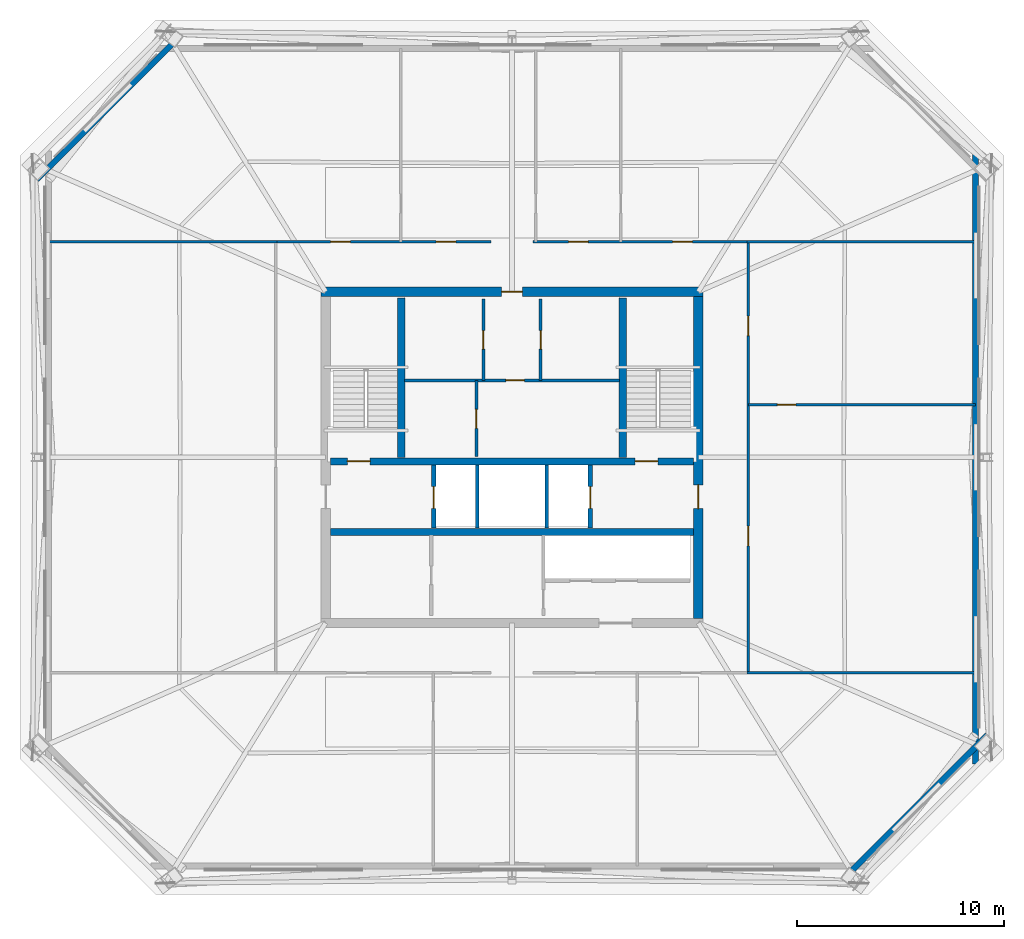
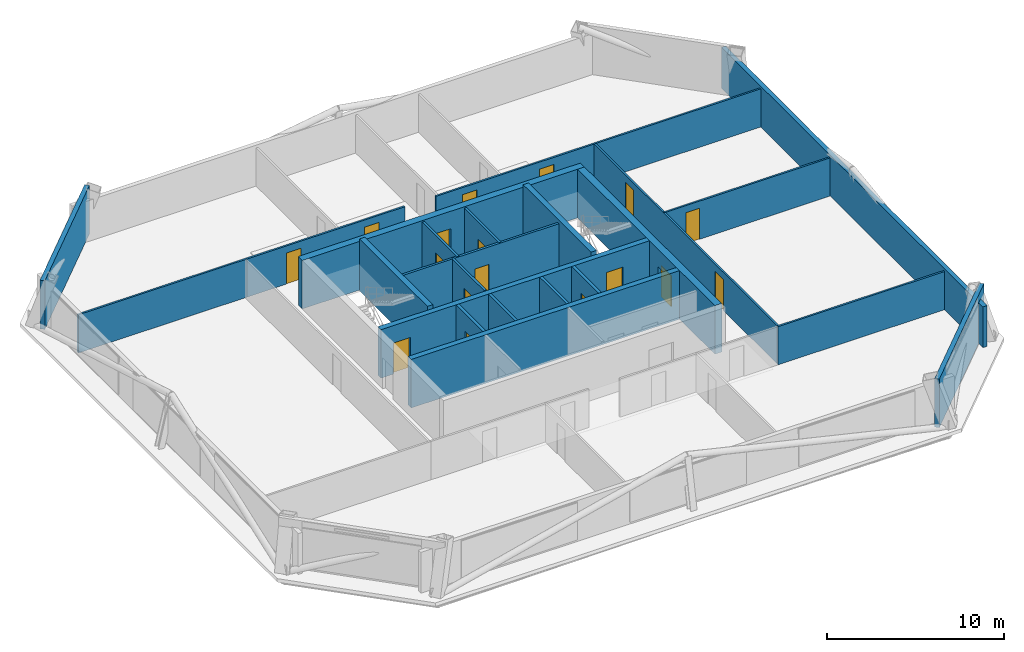
# One storey, part 3 of 6: 24 walls, 17 doors, 17 openings.
"""IFC4 building model written with IfcOpenShell, lengths in metres."""

from ifc_helpers import new_model, si_unit, direction, frame, frame_2d, origin, place, context, subcontext, project, spatial, rectangle, extrude, material, layer, layer_set, type_object, element, fill, save


model = new_model("IFC4")

# Units and contexts
model_context = context("Model", 3, precision=1e-05, world=origin(), true_north=direction((0.0, 1.0)))
body_context = subcontext(model_context, "Body", "Model", "MODEL_VIEW")
ifc_project = project(units=[si_unit("LENGTHUNIT", "METRE"), si_unit("AREAUNIT", "SQUARE_METRE"), si_unit("VOLUMEUNIT", "CUBIC_METRE"), si_unit("PLANEANGLEUNIT", "RADIAN"), si_unit("MASSUNIT", "GRAM", prefix="KILO")], contexts=[model_context])

# Site, building, storey
site_placement = place(None, origin())
site = spatial("IfcSite", under=ifc_project, at=site_placement, CompositionType="ELEMENT")
building_placement = place(site_placement, origin())
building = spatial("IfcBuilding", under=site, at=building_placement, Name="Caelvoria Tower", CompositionType="ELEMENT")
storey_placement = place(building_placement, frame((0.0, 0.0, 184.199951171875)))
storey = spatial("IfcBuildingStorey", under=building, at=storey_placement, Name="L48", CompositionType="ELEMENT", Elevation=184.199951171875)

# Wall, openings, doors
ifc_material_1 = material(Name="Concrete C50/60", Category="concrete")
ifc_layer_1 = layer(ifc_material_1, 0.35009765625, Name="Concrete C50/60")
ifc_layer_set_1 = layer_set([ifc_layer_1], Name="Core Internal Shear Wall 350 - Concrete C50/60")
wall_type_1 = type_object("IfcWallType", Name="Core Internal Shear Wall 350", PredefinedType="SHEAR", material=ifc_layer_set_1)
wall_1_placement = place(storey_placement, frame((37.22509765625, 31.800048828125, 0.0), z_axis=(0.0, 0.0, 1.0), x_axis=(1.0, 0.0, 0.0)))
wall_1 = element("IfcWall", 1, at=wall_1_placement, inside=storey, type_object=wall_type_1, Name="Core Shear Wall L48 M1", PredefinedType="SHEAR", context=body_context, shape_type="SweptSolid", body=[
    extrude(rectangle(XDim=17.5498046875, YDim=0.35009765625, at=frame_2d((8.77490234375, 0.0))), origin(), (0.0, 0.0, 1.0), 3.360107421875),
])
opening_1_placement = place(wall_1_placement, frame((0.824951171875, 0.0, 0.0)))
opening_1 = element("IfcOpeningElement", 2, at=opening_1_placement, cuts=wall_1, Name="Opening ID-01", PredefinedType="OPENING", context=body_context, shape_type="SweptSolid", body=[
    extrude(rectangle(XDim=1.10009765625, YDim=2.14990234375, at=frame_2d((0.550048828125, 1.074951171875))), frame((0.0, 0.18505859375, 0.0), z_axis=(0.0, -1.0, 0.0), x_axis=(1.0, 0.0, 0.0)), (0.0, 0.0, 1.0), 0.3701171875),
])
opening_2_placement = place(wall_1_placement, frame((14.72509765625, 0.0, 0.0)))
opening_2 = element("IfcOpeningElement", 3, at=opening_2_placement, cuts=wall_1, Name="Opening ID-01", PredefinedType="OPENING", context=body_context, shape_type="SweptSolid", body=[
    extrude(rectangle(XDim=1.10009765625, YDim=2.14990234375, at=frame_2d((0.550048828125, 1.074951171875))), frame((0.0, 0.18505859375, 0.0), z_axis=(0.0, -1.0, 0.0), x_axis=(1.0, 0.0, 0.0)), (0.0, 0.0, 1.0), 0.3701171875),
])
ifc_material_2 = material(Name="Painted Hollow Steel Fire Door", Category="steel")
door_type_1 = type_object("IfcDoorType", Name="Fire Door FD90S 1100x2150", OperationType="NOTDEFINED", PredefinedType="DOOR", material=ifc_material_2)
door_1_placement = place(opening_1_placement, origin())
door_1 = element("IfcDoor", 4, at=door_1_placement, inside=storey, type_object=door_type_1, Name="Core Door DR-L48-ST1", OperationType="SINGLE_SWING_LEFT", OverallHeight=2.14990234375, OverallWidth=1.10009765625, PredefinedType="DOOR", context=body_context, shape_type="SweptSolid", body=[
    extrude(rectangle(XDim=1.10009765625, YDim=2.14990234375, at=frame_2d((0.550048828125, 1.074951171875))), frame((0.0, 0.02490234375, 0.0), z_axis=(0.0, -1.0, 0.0), x_axis=(1.0, 0.0, 0.0)), (0.0, 0.0, 1.0), 0.050048828125),
])
fill(opening_1, door_1)
door_2_placement = place(opening_2_placement, origin())
door_2 = element("IfcDoor", 5, at=door_2_placement, inside=storey, type_object=door_type_1, Name="Core Door DR-L48-ST2", OperationType="SINGLE_SWING_RIGHT", OverallHeight=2.14990234375, OverallWidth=1.10009765625, PredefinedType="DOOR", context=body_context, shape_type="SweptSolid", body=[
    extrude(rectangle(XDim=1.10009765625, YDim=2.14990234375, at=frame_2d((0.550048828125, 1.074951171875))), frame((0.0, 0.02490234375, 0.0), z_axis=(0.0, -1.0, 0.0), x_axis=(1.0, 0.0, 0.0)), (0.0, 0.0, 1.0), 0.050048828125),
])
fill(opening_2, door_2)

# Walls
wall_2_placement = place(storey_placement, frame((37.22509765625, 28.39990234375, 0.0), z_axis=(0.0, 0.0, 1.0), x_axis=(1.0, 0.0, 0.0)))
element("IfcWall", 6, at=wall_2_placement, inside=storey, type_object=wall_type_1, Name="Core Shear Wall L48 M2", PredefinedType="SHEAR", context=body_context, shape_type="SweptSolid", body=[
    extrude(rectangle(XDim=17.5498046875, YDim=0.35009765625, at=frame_2d((8.77490234375, 0.0))), origin(), (0.0, 0.0, 1.0), 3.360107421875),
])
for number, where, z_axis, x_axis, name in (
    (7, (40.64990234375, 32.0, 0.0), (0.0, 0.0, 1.0), (0.0, 1.0, 0.0), "Interior Partition IW-L48-ST1E"),
    (8, (51.35009765625, 32.0, 0.0), (0.0, 0.0, 1.0), (0.0, 1.0, 0.0), "Interior Partition IW-L48-ST2W"),
):
    element("IfcWall", number, at=place(storey_placement, frame(where, z_axis=z_axis, x_axis=x_axis)), inside=storey, type_object=wall_type_1, Name=name, PredefinedType="SHEAR", context=body_context, shape_type="SweptSolid", body=[
        extrude(rectangle(XDim=7.699951171875, YDim=0.35009765625, at=frame_2d((3.85009765625, 0.0))), origin(), (0.0, 0.0, 1.0), 3.60009765625),
    ])

# Wall, opening, door
ifc_material_3 = material(Name="Double Gypsum Board on Steel Stud", Category="steel")
ifc_layer_2 = layer(ifc_material_3, 0.14990234375, Name="Double Gypsum Board on Steel Stud")
ifc_layer_set_2 = layer_set([ifc_layer_2], Name="Core Service Acoustic Partition Wall 150 - Double Gypsum Board on Steel Stud")
wall_type_2 = type_object("IfcWallType", Name="Core Service Acoustic Partition Wall 150", PredefinedType="PARTITIONING", material=ifc_layer_set_2)
wall_3_placement = place(storey_placement, frame((44.6201171875, 35.719970703125, 0.0), z_axis=(0.0, 0.0, 1.0), x_axis=(0.0, 1.0, 0.0)))
wall_3 = element("IfcWall", 9, at=wall_3_placement, inside=storey, type_object=wall_type_2, Name="Interior Partition IW-L48-C0L", PredefinedType="PARTITIONING", context=body_context, shape_type="SweptSolid", body=[
    extrude(rectangle(XDim=3.929931640625, YDim=0.14990234375, at=frame_2d((1.96484375, 0.0))), origin(), (0.0, 0.0, 1.0), 3.360107421875),
])
opening_3_placement = place(wall_3_placement, frame((1.5, 0.0, 0.0)))
opening_3 = element("IfcOpeningElement", 10, at=opening_3_placement, cuts=wall_3, Name="Opening ID-06", PredefinedType="OPENING", context=body_context, shape_type="SweptSolid", body=[
    extrude(rectangle(XDim=0.89990234375, YDim=2.14990234375, at=frame_2d((0.449951171875, 1.074951171875))), frame((0.0, 0.0849609375, 0.0), z_axis=(0.0, -1.0, 0.0), x_axis=(1.0, 0.0, 0.0)), (0.0, 0.0, 1.0), 0.169921875),
])
ifc_material_4 = material(Name="Engineered Andean Oak Veneer Door", Category="wood")
door_type_2 = type_object("IfcDoorType", Name="Interior Timber Door 900x2150", OperationType="NOTDEFINED", PredefinedType="DOOR", material=ifc_material_4)
door_3_placement = place(opening_3_placement, origin())
door_3 = element("IfcDoor", 11, at=door_3_placement, inside=storey, type_object=door_type_2, Name="Interior Door DR-L48-C01", OperationType="SINGLE_SWING_LEFT", OverallHeight=2.14990234375, OverallWidth=0.89990234375, PredefinedType="DOOR", context=body_context, shape_type="SweptSolid", body=[
    extrude(rectangle(XDim=0.89990234375, YDim=2.14990234375, at=frame_2d((0.449951171875, 1.074951171875))), frame((0.0, 0.02490234375, 0.0), z_axis=(0.0, -1.0, 0.0), x_axis=(1.0, 0.0, 0.0)), (0.0, 0.0, 1.0), 0.050048828125),
])
fill(opening_3, door_3)

wall_4_placement = place(storey_placement, frame((47.3798828125, 35.719970703125, 0.0), z_axis=(0.0, 0.0, 1.0), x_axis=(0.0, 1.0, 0.0)))
wall_4 = element("IfcWall", 12, at=wall_4_placement, inside=storey, type_object=wall_type_2, Name="Interior Partition IW-L48-C0R", PredefinedType="PARTITIONING", context=body_context, shape_type="SweptSolid", body=[
    extrude(rectangle(XDim=3.929931640625, YDim=0.14990234375, at=frame_2d((1.96484375, 0.0))), origin(), (0.0, 0.0, 1.0), 3.360107421875),
])
opening_4_placement = place(wall_4_placement, frame((1.5, 0.0, 0.0)))
opening_4 = element("IfcOpeningElement", 13, at=opening_4_placement, cuts=wall_4, Name="Opening ID-06", PredefinedType="OPENING", context=body_context, shape_type="SweptSolid", body=[
    extrude(rectangle(XDim=0.89990234375, YDim=2.14990234375, at=frame_2d((0.449951171875, 1.074951171875))), frame((0.0, 0.0849609375, 0.0), z_axis=(0.0, -1.0, 0.0), x_axis=(1.0, 0.0, 0.0)), (0.0, 0.0, 1.0), 0.169921875),
])
door_4_placement = place(opening_4_placement, origin())
door_4 = element("IfcDoor", 14, at=door_4_placement, inside=storey, type_object=door_type_2, Name="Interior Door DR-L48-C02", OperationType="SINGLE_SWING_RIGHT", OverallHeight=2.14990234375, OverallWidth=0.89990234375, PredefinedType="DOOR", context=body_context, shape_type="SweptSolid", body=[
    extrude(rectangle(XDim=0.89990234375, YDim=2.14990234375, at=frame_2d((0.449951171875, 1.074951171875))), frame((0.0, 0.02490234375, 0.0), z_axis=(0.0, -1.0, 0.0), x_axis=(1.0, 0.0, 0.0)), (0.0, 0.0, 1.0), 0.050048828125),
])
fill(opening_4, door_4)

wall_5_placement = place(storey_placement, frame((44.280029296875, 32.050048828125, 0.0), z_axis=(0.0, 0.0, 1.0), x_axis=(0.0, 1.0, 0.0)))
wall_5 = element("IfcWall", 15, at=wall_5_placement, inside=storey, type_object=wall_type_2, Name="Interior Partition IW-L48-C0M", PredefinedType="PARTITIONING", context=body_context, shape_type="SweptSolid", body=[
    extrude(rectangle(XDim=3.669921875, YDim=0.14990234375, at=frame_2d((1.8349609375, 0.0))), origin(), (0.0, 0.0, 1.0), 3.360107421875),
])
opening_5_placement = place(wall_5_placement, frame((1.35009765625, 0.0, 0.0)))
opening_5 = element("IfcOpeningElement", 16, at=opening_5_placement, cuts=wall_5, Name="Opening ID-07", PredefinedType="OPENING", context=body_context, shape_type="SweptSolid", body=[
    extrude(rectangle(XDim=0.919921875, YDim=2.14990234375, at=frame_2d((0.4599609375, 1.074951171875))), frame((0.0, 0.0849609375, 0.0), z_axis=(0.0, -1.0, 0.0), x_axis=(1.0, 0.0, 0.0)), (0.0, 0.0, 1.0), 0.169921875),
])
ifc_material_5 = material(Name="Engineered Andean Oak Accessible Door", Category="wood")
door_type_3 = type_object("IfcDoorType", Name="Accessible WC Door 950x2150", OperationType="NOTDEFINED", PredefinedType="DOOR", material=ifc_material_5)
door_5_placement = place(opening_5_placement, origin())
door_5 = element("IfcDoor", 17, at=door_5_placement, inside=storey, type_object=door_type_3, Name="Interior Door DR-L48-C05", OperationType="SINGLE_SWING_LEFT", OverallHeight=2.14990234375, OverallWidth=0.919921875, PredefinedType="DOOR", context=body_context, shape_type="SweptSolid", body=[
    extrude(rectangle(XDim=0.919921875, YDim=2.14990234375, at=frame_2d((0.4599609375, 1.074951171875))), frame((0.0, 0.02490234375, 0.0), z_axis=(0.0, -1.0, 0.0), x_axis=(1.0, 0.0, 0.0)), (0.0, 0.0, 1.0), 0.050048828125),
])
fill(opening_5, door_5)

wall_6_placement = place(storey_placement, frame((40.800048828125, 35.719970703125, 0.0), z_axis=(0.0, 0.0, 1.0), x_axis=(1.0, 0.0, 0.0)))
wall_6 = element("IfcWall", 18, at=wall_6_placement, inside=storey, type_object=wall_type_2, Name="Interior Partition IW-L48-C0H", PredefinedType="PARTITIONING", context=body_context, shape_type="SweptSolid", body=[
    extrude(rectangle(XDim=10.39990234375, YDim=0.14990234375, at=frame_2d((5.199951171875, 0.0))), origin(), (0.0, 0.0, 1.0), 3.360107421875),
])
opening_6_placement = place(wall_6_placement, frame((4.89990234375, 0.0, 0.0)))
opening_6 = element("IfcOpeningElement", 19, at=opening_6_placement, cuts=wall_6, Name="Opening ID-04", PredefinedType="OPENING", context=body_context, shape_type="SweptSolid", body=[
    extrude(rectangle(XDim=0.89990234375, YDim=2.14990234375, at=frame_2d((0.449951171875, 1.074951171875))), frame((0.0, 0.0849609375, 0.0), z_axis=(0.0, -1.0, 0.0), x_axis=(1.0, 0.0, 0.0)), (0.0, 0.0, 1.0), 0.169921875),
])
ifc_material_6 = material(Name="Acoustic Timber Fire Door", Category="wood")
door_type_4 = type_object("IfcDoorType", Name="Fire Door FD30S 900x2150", OperationType="NOTDEFINED", PredefinedType="DOOR", material=ifc_material_6)
door_6_placement = place(opening_6_placement, origin())
door_6 = element("IfcDoor", 20, at=door_6_placement, inside=storey, type_object=door_type_4, Name="Interior Door DR-L48-C04", OperationType="SINGLE_SWING_RIGHT", OverallHeight=2.14990234375, OverallWidth=0.89990234375, PredefinedType="DOOR", context=body_context, shape_type="SweptSolid", body=[
    extrude(rectangle(XDim=0.89990234375, YDim=2.14990234375, at=frame_2d((0.449951171875, 1.074951171875))), frame((0.0, 0.02490234375, 0.0), z_axis=(0.0, -1.0, 0.0), x_axis=(1.0, 0.0, 0.0)), (0.0, 0.0, 1.0), 0.050048828125),
])
fill(opening_6, door_6)

# Walls
ifc_material_7 = material(Name="Precast Concrete C40/50 with Bronze Cladding", Category="concrete")
ifc_layer_3 = layer(ifc_material_7, 0.280029296875, Name="Precast Concrete C40/50 with Bronze Cladding")
ifc_layer_set_3 = layer_set([ifc_layer_3], Name="Exterior Precast Concrete C40/50 Bronze-Clad Facade Wall 280 - Precast Concrete C40/50 with Bronze Cladding")
wall_type_3 = type_object("IfcWallType", Name="Exterior Precast Concrete C40/50 Bronze-Clad Facade Wall 280", PredefinedType="STANDARD", material=ifc_layer_set_3)
wall_7_placement = place(storey_placement, frame((62.054443359375, 11.68603515625, 0.0), z_axis=(0.0, 0.0, 1.0), x_axis=(0.707106781187, 0.707106781187, 0.0)))
element("IfcWall", 21, at=wall_7_placement, inside=storey, type_object=wall_type_3, Name="Exterior Facade Wall L48-E1", PredefinedType="STANDARD", context=body_context, shape_type="SweptSolid", body=[
    extrude(rectangle(XDim=9.75732421875, YDim=0.280029296875, at=frame_2d((4.878662109375, 0.0))), origin(), (0.0, 0.0, 1.0), 3.360107421875),
])
wall_8_placement = place(storey_placement, frame((68.3798828125, 17.199951171875, 0.0), z_axis=(0.0, 0.0, 1.0), x_axis=(0.0, 1.0, 0.0)))
element("IfcWall", 22, at=wall_8_placement, inside=storey, type_object=wall_type_3, Name="Exterior Facade Wall L48-E2", PredefinedType="STANDARD", context=body_context, shape_type="SweptSolid", body=[
    extrude(rectangle(XDim=29.60009765625, YDim=0.280029296875, at=frame_2d((14.800048828125, 0.0))), origin(), (0.0, 0.0, 1.0), 2.817138671875),
])
wall_9_placement = place(storey_placement, frame((29.945556640625, 52.31396484375, 0.0), z_axis=(0.0, 0.0, 1.0), x_axis=(-0.707106781187, -0.707106781187, 0.0)))
element("IfcWall", 23, at=wall_9_placement, inside=storey, type_object=wall_type_3, Name="Exterior Facade Wall L48-E5", PredefinedType="STANDARD", context=body_context, shape_type="SweptSolid", body=[
    extrude(rectangle(XDim=9.75732421875, YDim=0.280029296875, at=frame_2d((4.878662109375, 0.0))), origin(), (0.0, 0.0, 1.0), 3.360107421875),
])
ifc_material_8 = material(Name="Concrete Block and Fireboard Assembly", Category="concrete")
ifc_layer_4 = layer(ifc_material_8, 0.179931640625, Name="Concrete Block and Fireboard Assembly")
ifc_layer_set_4 = layer_set([ifc_layer_4], Name="Fire-Rated Hoistway Partition Wall 180 - Concrete Block and Fireboard Assembly")
wall_type_4 = type_object("IfcWallType", Name="Fire-Rated Hoistway Partition Wall 180", PredefinedType="PARTITIONING", material=ifc_layer_set_4)
for number, where, z_axis, x_axis, name in (
    (24, (44.320068359375, 28.580078125, 0.0), (0.0, 0.0, 1.0), (0.0, 1.0, 0.0), "Interior Partition IW-L48-SV1W"),
    (25, (47.679931640625, 28.580078125, 0.0), (0.0, 0.0, 1.0), (0.0, 1.0, 0.0), "Interior Partition IW-L48-SV1E"),
):
    element("IfcWall", number, at=place(storey_placement, frame(where, z_axis=z_axis, x_axis=x_axis)), inside=storey, type_object=wall_type_4, Name=name, PredefinedType="PARTITIONING", context=body_context, shape_type="SweptSolid", body=[
        extrude(rectangle(XDim=3.0400390625, YDim=0.179931640625, at=frame_2d((1.52001953125, 0.0))), origin(), (0.0, 0.0, 1.0), 3.360107421875),
    ])

# Wall, opening, door
ifc_layer_5 = layer(ifc_material_8, 0.199951171875, Name="Concrete Block and Fireboard Assembly")
ifc_layer_set_5 = layer_set([ifc_layer_5], Name="Fire-Rated Shaft and Core Partition Wall 200 - Concrete Block and Fireboard Assembly")
wall_type_5 = type_object("IfcWallType", Name="Fire-Rated Shaft and Core Partition Wall 200", PredefinedType="PARTITIONING", material=ifc_layer_set_5)
wall_10_placement = place(storey_placement, frame((42.219970703125, 28.580078125, 0.0), z_axis=(0.0, 0.0, 1.0), x_axis=(0.0, 1.0, 0.0)))
wall_10 = element("IfcWall", 26, at=wall_10_placement, inside=storey, type_object=wall_type_5, Name="Interior Partition IW-L48-LF1W", PredefinedType="PARTITIONING", context=body_context, shape_type="SweptSolid", body=[
    extrude(rectangle(XDim=3.0400390625, YDim=0.199951171875, at=frame_2d((1.52001953125, 0.0))), origin(), (0.0, 0.0, 1.0), 3.360107421875),
])
opening_7_placement = place(wall_10_placement, frame((0.949951171875, 0.0, 0.0)))
opening_7 = element("IfcOpeningElement", 27, at=opening_7_placement, cuts=wall_10, Name="Opening LD-01", PredefinedType="OPENING", context=body_context, shape_type="SweptSolid", body=[
    extrude(rectangle(XDim=1.050048828125, YDim=2.14990234375, at=frame_2d((0.52490234375, 1.074951171875))), frame((0.0, 0.10986328125, 0.0), z_axis=(0.0, -1.0, 0.0), x_axis=(1.0, 0.0, 0.0)), (0.0, 0.0, 1.0), 0.219970703125),
])
ifc_material_9 = material(Name="Brushed Bronze Stainless Sliding Landing Door", Category="aluminium")
door_type_5 = type_object("IfcDoorType", Name="Lift Landing Sliding Door 1100x2150", OperationType="NOTDEFINED", PredefinedType="DOOR", material=ifc_material_9)
door_7_placement = place(opening_7_placement, origin())
door_7 = element("IfcDoor", 28, at=door_7_placement, inside=storey, type_object=door_type_5, Name="Interior Door LD-L48-LF1", OperationType="SLIDING_TO_LEFT", OverallHeight=2.14990234375, OverallWidth=1.050048828125, PredefinedType="DOOR", context=body_context, shape_type="SweptSolid", body=[
    extrude(rectangle(XDim=1.050048828125, YDim=2.14990234375, at=frame_2d((0.52490234375, 1.074951171875))), frame((0.0, 0.02490234375, 0.0), z_axis=(0.0, -1.0, 0.0), x_axis=(1.0, 0.0, 0.0)), (0.0, 0.0, 1.0), 0.050048828125),
])
fill(opening_7, door_7)

wall_11_placement = place(storey_placement, frame((49.780029296875, 28.580078125, 0.0), z_axis=(0.0, 0.0, 1.0), x_axis=(0.0, 1.0, 0.0)))
wall_11 = element("IfcWall", 29, at=wall_11_placement, inside=storey, type_object=wall_type_5, Name="Interior Partition IW-L48-LF2E", PredefinedType="PARTITIONING", context=body_context, shape_type="SweptSolid", body=[
    extrude(rectangle(XDim=3.0400390625, YDim=0.199951171875, at=frame_2d((1.52001953125, 0.0))), origin(), (0.0, 0.0, 1.0), 3.360107421875),
])
opening_8_placement = place(wall_11_placement, frame((0.949951171875, 0.0, 0.0)))
opening_8 = element("IfcOpeningElement", 30, at=opening_8_placement, cuts=wall_11, Name="Opening LD-01", PredefinedType="OPENING", context=body_context, shape_type="SweptSolid", body=[
    extrude(rectangle(XDim=1.050048828125, YDim=2.14990234375, at=frame_2d((0.52490234375, 1.074951171875))), frame((0.0, 0.10986328125, 0.0), z_axis=(0.0, -1.0, 0.0), x_axis=(1.0, 0.0, 0.0)), (0.0, 0.0, 1.0), 0.219970703125),
])
door_8_placement = place(opening_8_placement, origin())
door_8 = element("IfcDoor", 31, at=door_8_placement, inside=storey, type_object=door_type_5, Name="Interior Door LD-L48-LF2", OperationType="SLIDING_TO_RIGHT", OverallHeight=2.14990234375, OverallWidth=1.050048828125, PredefinedType="DOOR", context=body_context, shape_type="SweptSolid", body=[
    extrude(rectangle(XDim=1.050048828125, YDim=2.14990234375, at=frame_2d((0.52490234375, 1.074951171875))), frame((0.0, 0.02490234375, 0.0), z_axis=(0.0, -1.0, 0.0), x_axis=(1.0, 0.0, 0.0)), (0.0, 0.0, 1.0), 0.050048828125),
])
fill(opening_8, door_8)

# Wall, openings, doors
ifc_material_10 = material(Name="Acoustic Gypsum Board on Light-Gauge Stud", Category="gypsum")
ifc_layer_6 = layer(ifc_material_10, 0.1201171875, Name="Acoustic Gypsum Board on Light-Gauge Stud")
ifc_layer_set_6 = layer_set([ifc_layer_6], Name="Tenant Suite Acoustic Partition Wall 120 - Acoustic Gypsum Board on Light-Gauge Stud")
wall_type_6 = type_object("IfcWallType", Name="Tenant Suite Acoustic Partition Wall 120", PredefinedType="PARTITIONING", material=ifc_layer_set_6)
wall_12_placement = place(storey_placement, frame((34.64990234375, 42.409912109375, 0.0), z_axis=(0.0, 0.0, 1.0), x_axis=(1.0, 0.0, 0.0)))
wall_12 = element("IfcWall", 32, at=wall_12_placement, inside=storey, type_object=wall_type_6, Name="Interior Partition IW-L48-NCW-0", PredefinedType="PARTITIONING", context=body_context, shape_type="SweptSolid", body=[
    extrude(rectangle(XDim=10.330078125, YDim=0.1201171875, at=frame_2d((5.1650390625, 0.0))), origin(), (0.0, 0.0, 1.0), 2.64013671875),
])
opening_9_placement = place(wall_12_placement, frame((2.589599609375, 0.0, 0.0)))
opening_9 = element("IfcOpeningElement", 33, at=opening_9_placement, cuts=wall_12, Name="Opening ID-05", PredefinedType="OPENING", context=body_context, shape_type="SweptSolid", body=[
    extrude(rectangle(XDim=0.949951171875, YDim=2.14990234375, at=frame_2d((0.47509765625, 1.074951171875))), frame((0.0, 0.070068359375, 0.0), z_axis=(0.0, -1.0, 0.0), x_axis=(1.0, 0.0, 0.0)), (0.0, 0.0, 1.0), 0.14013671875),
])
opening_10_placement = place(wall_12_placement, frame((7.6845703125, 0.0, 0.0)))
opening_10 = element("IfcOpeningElement", 34, at=opening_10_placement, cuts=wall_12, Name="Opening ID-05", PredefinedType="OPENING", context=body_context, shape_type="SweptSolid", body=[
    extrude(rectangle(XDim=0.949951171875, YDim=2.14990234375, at=frame_2d((0.47509765625, 1.074951171875))), frame((0.0, 0.070068359375, 0.0), z_axis=(0.0, -1.0, 0.0), x_axis=(1.0, 0.0, 0.0)), (0.0, 0.0, 1.0), 0.14013671875),
])
door_type_6 = type_object("IfcDoorType", Name="Interior Timber Door 950x2150", OperationType="NOTDEFINED", PredefinedType="DOOR", material=ifc_material_4)
door_9_placement = place(opening_9_placement, origin())
door_9 = element("IfcDoor", 35, at=door_9_placement, inside=storey, type_object=door_type_6, Name="Interior Door DR-L48-NC-00-0", OperationType="SINGLE_SWING_LEFT", OverallHeight=2.14990234375, OverallWidth=0.949951171875, PredefinedType="DOOR", context=body_context, shape_type="SweptSolid", body=[
    extrude(rectangle(XDim=0.949951171875, YDim=2.14990234375, at=frame_2d((0.47509765625, 1.074951171875))), frame((0.0, 0.02490234375, 0.0), z_axis=(0.0, -1.0, 0.0), x_axis=(1.0, 0.0, 0.0)), (0.0, 0.0, 1.0), 0.050048828125),
])
fill(opening_9, door_9)
door_10_placement = place(opening_10_placement, origin())
door_10 = element("IfcDoor", 36, at=door_10_placement, inside=storey, type_object=door_type_6, Name="Interior Door DR-L48-NC-01-0", OperationType="SINGLE_SWING_RIGHT", OverallHeight=2.14990234375, OverallWidth=0.949951171875, PredefinedType="DOOR", context=body_context, shape_type="SweptSolid", body=[
    extrude(rectangle(XDim=0.949951171875, YDim=2.14990234375, at=frame_2d((0.47509765625, 1.074951171875))), frame((0.0, 0.02490234375, 0.0), z_axis=(0.0, -1.0, 0.0), x_axis=(1.0, 0.0, 0.0)), (0.0, 0.0, 1.0), 0.050048828125),
])
fill(opening_10, door_10)

wall_13_placement = place(storey_placement, frame((47.02001953125, 42.409912109375, 0.0), z_axis=(0.0, 0.0, 1.0), x_axis=(1.0, 0.0, 0.0)))
wall_13 = element("IfcWall", 37, at=wall_13_placement, inside=storey, type_object=wall_type_6, Name="Interior Partition IW-L48-NCW-1", PredefinedType="PARTITIONING", context=body_context, shape_type="SweptSolid", body=[
    extrude(rectangle(XDim=10.330078125, YDim=0.1201171875, at=frame_2d((5.1650390625, 0.0))), origin(), (0.0, 0.0, 1.0), 2.64013671875),
])
opening_11_placement = place(wall_13_placement, frame((1.709228515625, 0.0, 0.0)))
opening_11 = element("IfcOpeningElement", 38, at=opening_11_placement, cuts=wall_13, Name="Opening ID-05", PredefinedType="OPENING", context=body_context, shape_type="SweptSolid", body=[
    extrude(rectangle(XDim=0.949951171875, YDim=2.14990234375, at=frame_2d((0.47509765625, 1.074951171875))), frame((0.0, 0.070068359375, 0.0), z_axis=(0.0, -1.0, 0.0), x_axis=(1.0, 0.0, 0.0)), (0.0, 0.0, 1.0), 0.14013671875),
])
opening_12_placement = place(wall_13_placement, frame((6.740478515625, 0.0, 0.0)))
opening_12 = element("IfcOpeningElement", 39, at=opening_12_placement, cuts=wall_13, Name="Opening ID-05", PredefinedType="OPENING", context=body_context, shape_type="SweptSolid", body=[
    extrude(rectangle(XDim=0.949951171875, YDim=2.14990234375, at=frame_2d((0.47509765625, 1.074951171875))), frame((0.0, 0.070068359375, 0.0), z_axis=(0.0, -1.0, 0.0), x_axis=(1.0, 0.0, 0.0)), (0.0, 0.0, 1.0), 0.14013671875),
])
door_11_placement = place(opening_11_placement, origin())
door_11 = element("IfcDoor", 40, at=door_11_placement, inside=storey, type_object=door_type_6, Name="Interior Door DR-L48-NC-02-0", OperationType="SINGLE_SWING_LEFT", OverallHeight=2.14990234375, OverallWidth=0.949951171875, PredefinedType="DOOR", context=body_context, shape_type="SweptSolid", body=[
    extrude(rectangle(XDim=0.949951171875, YDim=2.14990234375, at=frame_2d((0.47509765625, 1.074951171875))), frame((0.0, 0.02490234375, 0.0), z_axis=(0.0, -1.0, 0.0), x_axis=(1.0, 0.0, 0.0)), (0.0, 0.0, 1.0), 0.050048828125),
])
fill(opening_11, door_11)
door_12_placement = place(opening_12_placement, origin())
door_12 = element("IfcDoor", 41, at=door_12_placement, inside=storey, type_object=door_type_6, Name="Interior Door DR-L48-NC-03-0", OperationType="SINGLE_SWING_RIGHT", OverallHeight=2.14990234375, OverallWidth=0.949951171875, PredefinedType="DOOR", context=body_context, shape_type="SweptSolid", body=[
    extrude(rectangle(XDim=0.949951171875, YDim=2.14990234375, at=frame_2d((0.47509765625, 1.074951171875))), frame((0.0, 0.02490234375, 0.0), z_axis=(0.0, -1.0, 0.0), x_axis=(1.0, 0.0, 0.0)), (0.0, 0.0, 1.0), 0.050048828125),
])
fill(opening_12, door_12)

# Wall, opening, door
wall_14_placement = place(storey_placement, frame((57.409912109375, 34.5458984375, 0.0), z_axis=(0.0, 0.0, 1.0), x_axis=(1.0, 0.0, 0.0)))
wall_14 = element("IfcWall", 42, at=wall_14_placement, inside=storey, type_object=wall_type_6, Name="Interior Partition IW-L48-ED-00-0", PredefinedType="PARTITIONING", context=body_context, shape_type="SweptSolid", body=[
    extrude(rectangle(XDim=10.969970703125, YDim=0.1201171875, at=frame_2d((5.48486328125, 0.0))), origin(), (0.0, 0.0, 1.0), 2.64013671875),
])
opening_13_placement = place(wall_14_placement, frame((1.39990234375, 0.0, 0.0)))
opening_13 = element("IfcOpeningElement", 43, at=opening_13_placement, cuts=wall_14, Name="Opening ID-06", PredefinedType="OPENING", context=body_context, shape_type="SweptSolid", body=[
    extrude(rectangle(XDim=0.89990234375, YDim=2.14990234375, at=frame_2d((0.449951171875, 1.074951171875))), frame((0.0, 0.070068359375, 0.0), z_axis=(0.0, -1.0, 0.0), x_axis=(1.0, 0.0, 0.0)), (0.0, 0.0, 1.0), 0.14013671875),
])
door_13_placement = place(opening_13_placement, origin())
door_13 = element("IfcDoor", 44, at=door_13_placement, inside=storey, type_object=door_type_2, Name="Interior Door DR-L48-EM-00-0", OperationType="SINGLE_SWING_RIGHT", OverallHeight=2.14990234375, OverallWidth=0.89990234375, PredefinedType="DOOR", context=body_context, shape_type="SweptSolid", body=[
    extrude(rectangle(XDim=0.89990234375, YDim=2.14990234375, at=frame_2d((0.449951171875, 1.074951171875))), frame((0.0, 0.02490234375, 0.0), z_axis=(0.0, -1.0, 0.0), x_axis=(1.0, 0.0, 0.0)), (0.0, 0.0, 1.0), 0.050048828125),
])
fill(opening_13, door_13)

# Wall, openings, doors
wall_15_placement = place(storey_placement, frame((57.409912109375, 21.64990234375, 0.0), z_axis=(0.0, 0.0, 1.0), x_axis=(0.0, 1.0, 0.0)))
wall_15 = element("IfcWall", 45, at=wall_15_placement, inside=storey, type_object=wall_type_6, Name="Interior Partition IW-L48-ECW-0", PredefinedType="PARTITIONING", context=body_context, shape_type="SweptSolid", body=[
    extrude(rectangle(XDim=20.7001953125, YDim=0.1201171875, at=frame_2d((10.35009765625, 0.0))), origin(), (0.0, 0.0, 1.0), 2.64013671875),
])
opening_14_placement = place(wall_15_placement, frame((6.072998046875, 0.0, 0.0)))
opening_14 = element("IfcOpeningElement", 46, at=opening_14_placement, cuts=wall_15, Name="Opening ID-05", PredefinedType="OPENING", context=body_context, shape_type="SweptSolid", body=[
    extrude(rectangle(XDim=0.949951171875, YDim=2.14990234375, at=frame_2d((0.47509765625, 1.074951171875))), frame((0.0, 0.070068359375, 0.0), z_axis=(0.0, -1.0, 0.0), x_axis=(1.0, 0.0, 0.0)), (0.0, 0.0, 1.0), 0.14013671875),
])
opening_15_placement = place(wall_15_placement, frame((16.222900390625, 0.0, 0.0)))
opening_15 = element("IfcOpeningElement", 47, at=opening_15_placement, cuts=wall_15, Name="Opening ID-05", PredefinedType="OPENING", context=body_context, shape_type="SweptSolid", body=[
    extrude(rectangle(XDim=0.949951171875, YDim=2.14990234375, at=frame_2d((0.47509765625, 1.074951171875))), frame((0.0, 0.070068359375, 0.0), z_axis=(0.0, -1.0, 0.0), x_axis=(1.0, 0.0, 0.0)), (0.0, 0.0, 1.0), 0.14013671875),
])
door_14_placement = place(opening_14_placement, origin())
door_14 = element("IfcDoor", 48, at=door_14_placement, inside=storey, type_object=door_type_6, Name="Interior Door DR-L48-EC-00-0", OperationType="SINGLE_SWING_LEFT", OverallHeight=2.14990234375, OverallWidth=0.949951171875, PredefinedType="DOOR", context=body_context, shape_type="SweptSolid", body=[
    extrude(rectangle(XDim=0.949951171875, YDim=2.14990234375, at=frame_2d((0.47509765625, 1.074951171875))), frame((0.0, 0.02490234375, 0.0), z_axis=(0.0, -1.0, 0.0), x_axis=(1.0, 0.0, 0.0)), (0.0, 0.0, 1.0), 0.050048828125),
])
fill(opening_14, door_14)
door_15_placement = place(opening_15_placement, origin())
door_15 = element("IfcDoor", 49, at=door_15_placement, inside=storey, type_object=door_type_6, Name="Interior Door DR-L48-EC-01-0", OperationType="SINGLE_SWING_RIGHT", OverallHeight=2.14990234375, OverallWidth=0.949951171875, PredefinedType="DOOR", context=body_context, shape_type="SweptSolid", body=[
    extrude(rectangle(XDim=0.949951171875, YDim=2.14990234375, at=frame_2d((0.47509765625, 1.074951171875))), frame((0.0, 0.02490234375, 0.0), z_axis=(0.0, -1.0, 0.0), x_axis=(1.0, 0.0, 0.0)), (0.0, 0.0, 1.0), 0.050048828125),
])
fill(opening_15, door_15)

# Walls
for number, where, z_axis, x_axis, name in (
    (50, (57.35009765625, 21.590087890625, 0.0), (0.0, 0.0, 1.0), (1.0, 0.0, 0.0), "Interior Partition IW-L48-BSE-0"),
    (51, (34.64990234375, 42.409912109375, 0.0), (0.0, 0.0, 1.0), (-1.0, 0.0, 0.0), "Interior Partition IW-L48-BNW-0"),
    (52, (57.35009765625, 42.409912109375, 0.0), (0.0, 0.0, 1.0), (1.0, 0.0, 0.0), "Interior Partition IW-L48-BNE-0"),
):
    element("IfcWall", number, at=place(storey_placement, frame(where, z_axis=z_axis, x_axis=x_axis)), inside=storey, type_object=wall_type_6, Name=name, PredefinedType="PARTITIONING", context=body_context, shape_type="SweptSolid", body=[
        extrude(rectangle(XDim=11.02978515625, YDim=0.1201171875, at=frame_2d((5.514892578125, 0.0))), origin(), (0.0, 0.0, 1.0), 2.64013671875),
    ])

# Wall, opening, door
ifc_layer_7 = layer(ifc_material_1, 0.449951171875, Name="Concrete C50/60")
ifc_layer_set_7 = layer_set([ifc_layer_7], Name="Upper Core Shear Wall 450 - Concrete C50/60")
wall_type_7 = type_object("IfcWallType", Name="Upper Core Shear Wall 450", PredefinedType="SHEAR", material=ifc_layer_set_7)
wall_16_placement = place(storey_placement, frame((36.77490234375, 40.0, 0.0), z_axis=(0.0, 0.0, 1.0), x_axis=(1.0, 0.0, 0.0)))
wall_16 = element("IfcWall", 53, at=wall_16_placement, inside=storey, type_object=wall_type_7, Name="Core Shear Wall L48 N", PredefinedType="SHEAR", context=body_context, shape_type="SweptSolid", body=[
    extrude(rectangle(XDim=18.4501953125, YDim=0.449951171875, at=frame_2d((9.22509765625, 0.0))), origin(), (0.0, 0.0, 1.0), 3.360107421875),
])
opening_16_placement = place(wall_16_placement, frame((8.72509765625, 0.0, 0.0)))
opening_16 = element("IfcOpeningElement", 54, at=opening_16_placement, cuts=wall_16, Name="Opening ID-03", PredefinedType="OPENING", context=body_context, shape_type="SweptSolid", body=[
    extrude(rectangle(XDim=1.0, YDim=2.14990234375, at=frame_2d((0.5, 1.074951171875))), frame((0.0, 0.23486328125, 0.0), z_axis=(0.0, -1.0, 0.0), x_axis=(1.0, 0.0, 0.0)), (0.0, 0.0, 1.0), 0.469970703125),
])
door_type_7 = type_object("IfcDoorType", Name="Fire Door FD60S 1000x2150", OperationType="NOTDEFINED", PredefinedType="DOOR", material=ifc_material_2)
door_16_placement = place(opening_16_placement, origin())
door_16 = element("IfcDoor", 55, at=door_16_placement, inside=storey, type_object=door_type_7, Name="Core Door DR-L48-WC-MAIN", OperationType="SINGLE_SWING_RIGHT", OverallHeight=2.14990234375, OverallWidth=1.0, PredefinedType="DOOR", context=body_context, shape_type="SweptSolid", body=[
    extrude(rectangle(XDim=1.0, YDim=2.14990234375, at=frame_2d((0.5, 1.074951171875))), frame((0.0, 0.02490234375, 0.0), z_axis=(0.0, -1.0, 0.0), x_axis=(1.0, 0.0, 0.0)), (0.0, 0.0, 1.0), 0.050048828125),
])
fill(opening_16, door_16)

wall_17_placement = place(storey_placement, frame((55.0, 24.22509765625, 0.0), z_axis=(0.0, 0.0, 1.0), x_axis=(0.0, 1.0, 0.0)))
wall_17 = element("IfcWall", 56, at=wall_17_placement, inside=storey, type_object=wall_type_7, Name="Core Shear Wall L48 E", PredefinedType="SHEAR", context=body_context, shape_type="SweptSolid", body=[
    extrude(rectangle(XDim=15.5498046875, YDim=0.449951171875, at=frame_2d((7.77490234375, 0.0))), origin(), (0.0, 0.0, 1.0), 3.360107421875),
])
opening_17_placement = place(wall_17_placement, frame((5.300048828125, 0.0, 0.0)))
opening_17 = element("IfcOpeningElement", 57, at=opening_17_placement, cuts=wall_17, Name="Opening ID-02", PredefinedType="OPENING", context=body_context, shape_type="SweptSolid", body=[
    extrude(rectangle(XDim=1.14990234375, YDim=2.14990234375, at=frame_2d((0.574951171875, 1.074951171875))), frame((0.0, 0.23486328125, 0.0), z_axis=(0.0, -1.0, 0.0), x_axis=(1.0, 0.0, 0.0)), (0.0, 0.0, 1.0), 0.469970703125),
])
door_type_8 = type_object("IfcDoorType", Name="Fire Door FD60S 1150x2150", OperationType="NOTDEFINED", PredefinedType="DOOR", material=ifc_material_2)
door_17_placement = place(opening_17_placement, origin())
door_17 = element("IfcDoor", 58, at=door_17_placement, inside=storey, type_object=door_type_8, Name="Core Door DR-L48-FFLE-OUT", OperationType="SINGLE_SWING_RIGHT", OverallHeight=2.14990234375, OverallWidth=1.14990234375, PredefinedType="DOOR", context=body_context, shape_type="SweptSolid", body=[
    extrude(rectangle(XDim=1.14990234375, YDim=2.14990234375, at=frame_2d((0.574951171875, 1.074951171875))), frame((0.0, 0.02490234375, 0.0), z_axis=(0.0, -1.0, 0.0), x_axis=(1.0, 0.0, 0.0)), (0.0, 0.0, 1.0), 0.050048828125),
])
fill(opening_17, door_17)

save(model, "model.ifc")
